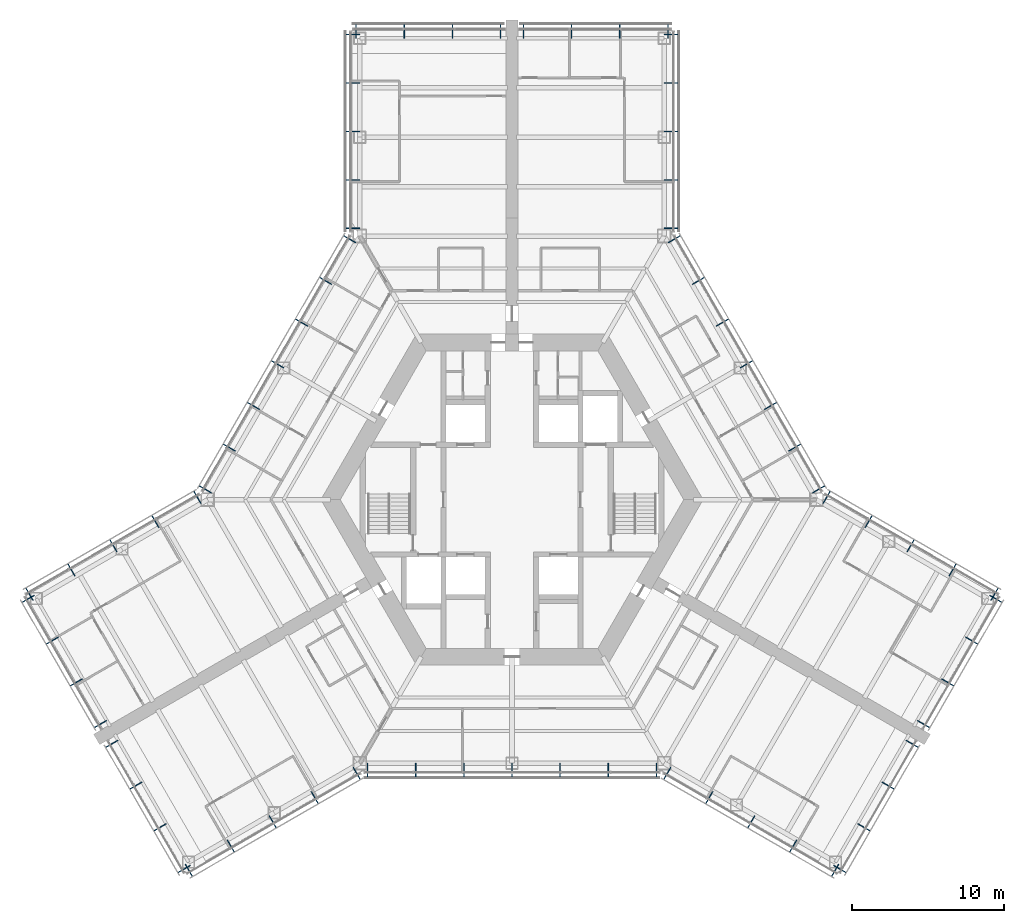
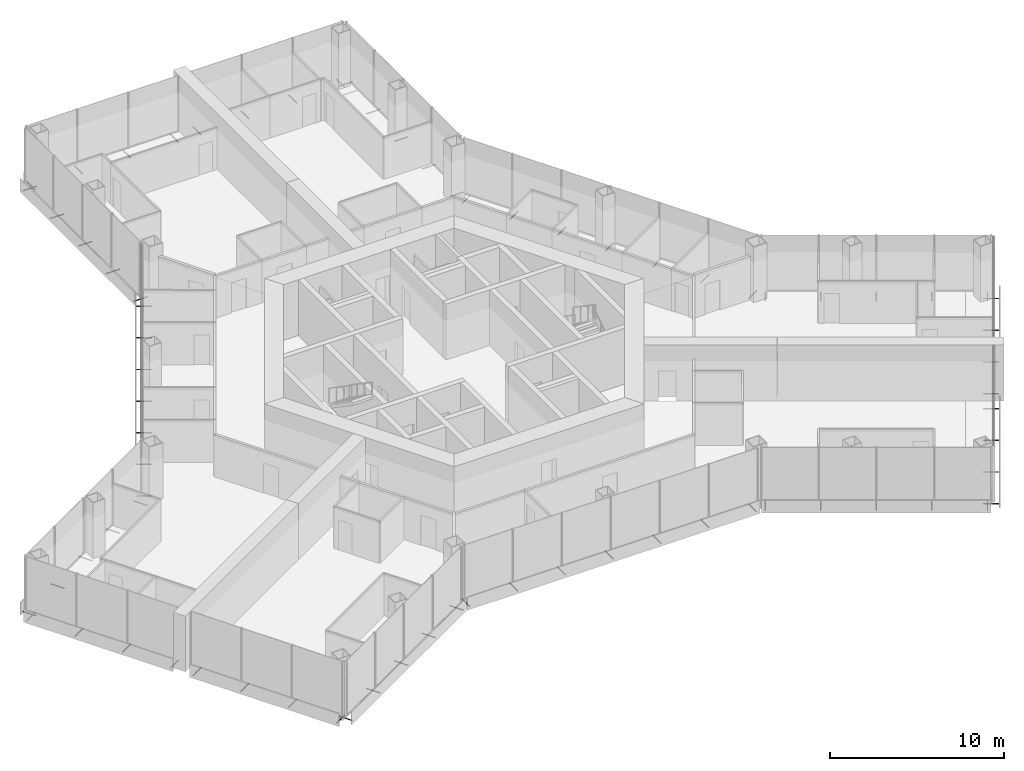
# One storey, part 17 of 19: 75 discrete accessories.
"""IFC4 building model written with IfcOpenShell, lengths in metres."""

from ifc_helpers import new_model, si_unit, direction, frame, origin, origin_2d, place, context, subcontext, project, spatial, hollow_circle, extrude, material, material_profile, profile_set, type_object, element, save


model = new_model("IFC4")

# Units and contexts
model_context = context("Model", 3, precision=1e-05, world=origin(), true_north=direction((0.0, 1.0)))
body_context = subcontext(model_context, "Body", "Model", "MODEL_VIEW")
ifc_project = project(units=[si_unit("LENGTHUNIT", "METRE"), si_unit("AREAUNIT", "SQUARE_METRE"), si_unit("VOLUMEUNIT", "CUBIC_METRE"), si_unit("PLANEANGLEUNIT", "RADIAN"), si_unit("MASSUNIT", "GRAM", prefix="KILO")], contexts=[model_context])

# Site, building, storey
site_placement = place(None, origin())
site = spatial("IfcSite", under=ifc_project, at=site_placement, CompositionType="ELEMENT")
building_placement = place(site_placement, origin())
building = spatial("IfcBuilding", under=site, at=building_placement, Name="Kasaneha Research Tower", CompositionType="ELEMENT")
storey_placement = place(building_placement, frame((0.0, 0.0, 96.300048828125)))
storey = spatial("IfcBuildingStorey", under=building, at=storey_placement, Name="L24", CompositionType="ELEMENT", Elevation=96.300048828125)

# Discrete accessories
ifc_material = material(Name="Steel STK400", Category="steel")
ifc_material_profile = material_profile(ifc_material, hollow_circle(Radius=0.0380859375, WallThickness=0.00390625, at=origin_2d()), Name="CHS-76.3x4.0")
ifc_profile_set = profile_set([ifc_material_profile], Name="Steel STK400")
discrete_accessory_type = type_object("IfcDiscreteAccessoryType", Name="Screen bracket CHS-76.3x4.0", PredefinedType="BRACKET", material=ifc_profile_set)
discrete_accessory_1_placement = place(storey_placement, frame((-21.474853515625, -23.945556640625, -0.300048828125), z_axis=(0.500021113727, -0.866013213425, 0.0), x_axis=(0.866013213425, 0.500021113727, 0.0)))
element("IfcDiscreteAccessory", 1, at=discrete_accessory_1_placement, inside=storey, type_object=discrete_accessory_type, Name="Screen bracket 1", PredefinedType="BRACKET", context=body_context, shape_type="SweptSolid", body=[
    extrude(hollow_circle(Radius=0.0380859375, WallThickness=0.00390625, at=origin_2d()), origin(), (0.0, 0.0, 1.0), 0.919921875),
])
discrete_accessory_2_placement = place(storey_placement, frame((-18.716796875, -22.35302734375, -0.300048828125), z_axis=(0.500105201737, -0.865964657013, 0.0), x_axis=(0.865964657013, 0.500105201737, 0.0)))
element("IfcDiscreteAccessory", 2, at=discrete_accessory_2_placement, inside=storey, type_object=discrete_accessory_type, Name="Screen bracket 2", PredefinedType="BRACKET", context=body_context, shape_type="SweptSolid", body=[
    extrude(hollow_circle(Radius=0.0380859375, WallThickness=0.00390625, at=origin_2d()), origin(), (0.0, 0.0, 1.0), 0.920166015625),
])
discrete_accessory_3_placement = place(storey_placement, frame((-15.95849609375, -20.7607421875, -0.300048828125), z_axis=(0.500021113727, -0.866013213425, 0.0), x_axis=(0.866013213425, 0.500021113727, 0.0)))
element("IfcDiscreteAccessory", 3, at=discrete_accessory_3_placement, inside=storey, type_object=discrete_accessory_type, Name="Screen bracket 3", PredefinedType="BRACKET", context=body_context, shape_type="SweptSolid", body=[
    extrude(hollow_circle(Radius=0.0380859375, WallThickness=0.00390625, at=origin_2d()), origin(), (0.0, 0.0, 1.0), 0.919921875),
])
discrete_accessory_4_placement = place(storey_placement, frame((-13.200439453125, -19.168212890625, -0.300048828125), z_axis=(0.499906209203, -0.866079547155, 0.0), x_axis=(0.866079547155, 0.499906209203, 0.0)))
element("IfcDiscreteAccessory", 4, at=discrete_accessory_4_placement, inside=storey, type_object=discrete_accessory_type, Name="Screen bracket 4", PredefinedType="BRACKET", context=body_context, shape_type="SweptSolid", body=[
    extrude(hollow_circle(Radius=0.0380859375, WallThickness=0.00390625, at=origin_2d()), origin(), (0.0, 0.0, 1.0), 0.920166015625),
])
for number, where, z_axis, x_axis, name in (
    (5, (-10.4423828125, -17.575927734375, -0.300048828125), (0.500021113727, -0.866013213425, 0.0), (0.866013213425, 0.500021113727, 0.0), "Screen bracket 5"),
    (6, (-9.4892578125, -17.320556640625, -0.300048828125), (0.0, -1.0, 0.0), (1.0, 0.0, 0.0), "Screen bracket 1"),
    (7, (-6.326171875, -17.320556640625, -0.300048828125), (0.0, -1.0, 0.0), (1.0, 0.0, 0.0), "Screen bracket 2"),
    (8, (-3.1630859375, -17.320556640625, -0.300048828125), (0.0, -1.0, 0.0), (1.0, 0.0, 0.0), "Screen bracket 3"),
    (9, (0.0, -17.320556640625, -0.300048828125), (0.0, -1.0, 0.0), (1.0, 0.0, 0.0), "Screen bracket 4"),
    (10, (3.1630859375, -17.320556640625, -0.300048828125), (0.0, -1.0, 0.0), (1.0, 0.0, 0.0), "Screen bracket 5"),
    (11, (6.326171875, -17.320556640625, -0.300048828125), (0.0, -1.0, 0.0), (1.0, 0.0, 0.0), "Screen bracket 6"),
    (12, (9.4892578125, -17.320556640625, -0.300048828125), (0.0, -1.0, 0.0), (1.0, 0.0, 0.0), "Screen bracket 7"),
    (13, (10.4423828125, -17.575927734375, -0.300048828125), (-0.500021113727, -0.866013213425, 0.0), (0.866013213425, -0.500021113727, 0.0), "Screen bracket 1"),
):
    element("IfcDiscreteAccessory", number, at=place(storey_placement, frame(where, z_axis=z_axis, x_axis=x_axis)), inside=storey, type_object=discrete_accessory_type, Name=name, PredefinedType="BRACKET", context=body_context, shape_type="SweptSolid", body=[
        extrude(hollow_circle(Radius=0.0380859375, WallThickness=0.00390625, at=origin_2d()), origin(), (0.0, 0.0, 1.0), 0.919921875),
    ])
discrete_accessory_5_placement = place(storey_placement, frame((13.200439453125, -19.168212890625, -0.300048828125), z_axis=(-0.499906209203, -0.866079547155, 0.0), x_axis=(0.866079547155, -0.499906209203, 0.0)))
element("IfcDiscreteAccessory", 14, at=discrete_accessory_5_placement, inside=storey, type_object=discrete_accessory_type, Name="Screen bracket 2", PredefinedType="BRACKET", context=body_context, shape_type="SweptSolid", body=[
    extrude(hollow_circle(Radius=0.0380859375, WallThickness=0.00390625, at=origin_2d()), origin(), (0.0, 0.0, 1.0), 0.920166015625),
])
discrete_accessory_6_placement = place(storey_placement, frame((15.95849609375, -20.7607421875, -0.300048828125), z_axis=(-0.500021113727, -0.866013213425, 0.0), x_axis=(0.866013213425, -0.500021113727, 0.0)))
element("IfcDiscreteAccessory", 15, at=discrete_accessory_6_placement, inside=storey, type_object=discrete_accessory_type, Name="Screen bracket 3", PredefinedType="BRACKET", context=body_context, shape_type="SweptSolid", body=[
    extrude(hollow_circle(Radius=0.0380859375, WallThickness=0.00390625, at=origin_2d()), origin(), (0.0, 0.0, 1.0), 0.919921875),
])
discrete_accessory_7_placement = place(storey_placement, frame((18.716796875, -22.35302734375, -0.300048828125), z_axis=(-0.500105201737, -0.865964657013, 0.0), x_axis=(0.865964657013, -0.500105201737, 0.0)))
element("IfcDiscreteAccessory", 16, at=discrete_accessory_7_placement, inside=storey, type_object=discrete_accessory_type, Name="Screen bracket 4", PredefinedType="BRACKET", context=body_context, shape_type="SweptSolid", body=[
    extrude(hollow_circle(Radius=0.0380859375, WallThickness=0.00390625, at=origin_2d()), origin(), (0.0, 0.0, 1.0), 0.920166015625),
])
discrete_accessory_8_placement = place(storey_placement, frame((21.474853515625, -23.945556640625, -0.300048828125), z_axis=(-0.500021113727, -0.866013213425, 0.0), x_axis=(0.866013213425, -0.500021113727, 0.0)))
element("IfcDiscreteAccessory", 17, at=discrete_accessory_8_placement, inside=storey, type_object=discrete_accessory_type, Name="Screen bracket 5", PredefinedType="BRACKET", context=body_context, shape_type="SweptSolid", body=[
    extrude(hollow_circle(Radius=0.0380859375, WallThickness=0.00390625, at=origin_2d()), origin(), (0.0, 0.0, 1.0), 0.919921875),
])
for number, where, z_axis, x_axis, name in (
    (18, (21.13330078125, -24.037109375, -0.300048828125), (0.866079547155, -0.499906209203, 0.0), (0.499906209203, 0.866079547155, 0.0), "Screen bracket 1"),
    (19, (22.716552734375, -21.294677734375, -0.300048828125), (0.866079547155, -0.499906209203, 0.0), (0.499906209203, 0.866079547155, 0.0), "Screen bracket 2"),
):
    element("IfcDiscreteAccessory", number, at=place(storey_placement, frame(where, z_axis=z_axis, x_axis=x_axis)), inside=storey, type_object=discrete_accessory_type, Name=name, PredefinedType="BRACKET", context=body_context, shape_type="SweptSolid", body=[
        extrude(hollow_circle(Radius=0.0380859375, WallThickness=0.00390625, at=origin_2d()), origin(), (0.0, 0.0, 1.0), 0.920166015625),
    ])
discrete_accessory_9_placement = place(storey_placement, frame((24.300048828125, -18.55224609375, -0.300048828125), z_axis=(0.866013213425, -0.500021113727, 0.0), x_axis=(0.500021113727, 0.866013213425, 0.0)))
element("IfcDiscreteAccessory", 20, at=discrete_accessory_9_placement, inside=storey, type_object=discrete_accessory_type, Name="Screen bracket 3", PredefinedType="BRACKET", context=body_context, shape_type="SweptSolid", body=[
    extrude(hollow_circle(Radius=0.0380859375, WallThickness=0.00390625, at=origin_2d()), origin(), (0.0, 0.0, 1.0), 0.919921875),
])
for number, where, z_axis, x_axis, name in (
    (21, (25.88330078125, -15.809814453125, -0.300048828125), (0.866079547155, -0.499906209203, 0.0), (0.499906209203, 0.866079547155, 0.0), "Screen bracket 4"),
    (22, (26.63330078125, -14.5107421875, -0.300048828125), (0.866079547155, -0.499906209203, 0.0), (0.499906209203, 0.866079547155, 0.0), "Screen bracket 1"),
    (23, (28.216552734375, -11.768310546875, -0.300048828125), (0.866079547155, -0.499906209203, 0.0), (0.499906209203, 0.866079547155, 0.0), "Screen bracket 2"),
):
    element("IfcDiscreteAccessory", number, at=place(storey_placement, frame(where, z_axis=z_axis, x_axis=x_axis)), inside=storey, type_object=discrete_accessory_type, Name=name, PredefinedType="BRACKET", context=body_context, shape_type="SweptSolid", body=[
        extrude(hollow_circle(Radius=0.0380859375, WallThickness=0.00390625, at=origin_2d()), origin(), (0.0, 0.0, 1.0), 0.920166015625),
    ])
discrete_accessory_10_placement = place(storey_placement, frame((29.800048828125, -9.02587890625, -0.300048828125), z_axis=(0.866013213425, -0.500021113727, 0.0), x_axis=(0.500021113727, 0.866013213425, 0.0)))
element("IfcDiscreteAccessory", 24, at=discrete_accessory_10_placement, inside=storey, type_object=discrete_accessory_type, Name="Screen bracket 3", PredefinedType="BRACKET", context=body_context, shape_type="SweptSolid", body=[
    extrude(hollow_circle(Radius=0.0380859375, WallThickness=0.00390625, at=origin_2d()), origin(), (0.0, 0.0, 1.0), 0.919921875),
])
discrete_accessory_11_placement = place(storey_placement, frame((31.38330078125, -6.283447265625, -0.300048828125), z_axis=(0.866079547155, -0.499906209203, 0.0), x_axis=(0.499906209203, 0.866079547155, 0.0)))
element("IfcDiscreteAccessory", 25, at=discrete_accessory_11_placement, inside=storey, type_object=discrete_accessory_type, Name="Screen bracket 4", PredefinedType="BRACKET", context=body_context, shape_type="SweptSolid", body=[
    extrude(hollow_circle(Radius=0.0380859375, WallThickness=0.00390625, at=origin_2d()), origin(), (0.0, 0.0, 1.0), 0.920166015625),
])
discrete_accessory_12_placement = place(storey_placement, frame((31.474853515625, -6.625, -0.300048828125), z_axis=(0.500021113727, 0.866013213425, 0.0), x_axis=(-0.866013213425, 0.500021113727, 0.0)))
element("IfcDiscreteAccessory", 26, at=discrete_accessory_12_placement, inside=storey, type_object=discrete_accessory_type, Name="Screen bracket 1", PredefinedType="BRACKET", context=body_context, shape_type="SweptSolid", body=[
    extrude(hollow_circle(Radius=0.0380859375, WallThickness=0.00390625, at=origin_2d()), origin(), (0.0, 0.0, 1.0), 0.919921875),
])
discrete_accessory_13_placement = place(storey_placement, frame((28.716796875, -5.03271484375, -0.300048828125), z_axis=(0.499906209203, 0.866079547155, 0.0), x_axis=(-0.866079547155, 0.499906209203, 0.0)))
element("IfcDiscreteAccessory", 27, at=discrete_accessory_13_placement, inside=storey, type_object=discrete_accessory_type, Name="Screen bracket 2", PredefinedType="BRACKET", context=body_context, shape_type="SweptSolid", body=[
    extrude(hollow_circle(Radius=0.0380859375, WallThickness=0.00390625, at=origin_2d()), origin(), (0.0, 0.0, 1.0), 0.920166015625),
])
discrete_accessory_14_placement = place(storey_placement, frame((25.95849609375, -3.440185546875, -0.300048828125), z_axis=(0.500220121494, 0.865898279276, 0.0), x_axis=(-0.865898279276, 0.500220121494, 0.0)))
element("IfcDiscreteAccessory", 28, at=discrete_accessory_14_placement, inside=storey, type_object=discrete_accessory_type, Name="Screen bracket 3", PredefinedType="BRACKET", context=body_context, shape_type="SweptSolid", body=[
    extrude(hollow_circle(Radius=0.0380859375, WallThickness=0.00390625, at=origin_2d()), origin(), (0.0, 0.0, 1.0), 0.919921875),
])
discrete_accessory_15_placement = place(storey_placement, frame((23.200439453125, -1.847900390625, -0.300048828125), z_axis=(0.499906209203, 0.866079547155, 0.0), x_axis=(-0.866079547155, 0.499906209203, 0.0)))
element("IfcDiscreteAccessory", 29, at=discrete_accessory_15_placement, inside=storey, type_object=discrete_accessory_type, Name="Screen bracket 4", PredefinedType="BRACKET", context=body_context, shape_type="SweptSolid", body=[
    extrude(hollow_circle(Radius=0.0380859375, WallThickness=0.00390625, at=origin_2d()), origin(), (0.0, 0.0, 1.0), 0.920166015625),
])
for number, where, z_axis, x_axis, name in (
    (30, (20.4423828125, -0.25537109375, -0.300048828125), (0.500021113727, 0.866013213425, 0.0), (-0.866013213425, 0.500021113727, 0.0), "Screen bracket 5"),
    (31, (19.74462890625, 0.4423828125, -0.300048828125), (0.866013213425, 0.500021113727, 0.0), (-0.500021113727, 0.866013213425, 0.0), "Screen bracket 1"),
    (32, (18.1630859375, 3.181640625, -0.300048828125), (0.866013213425, 0.500021113727, 0.0), (-0.500021113727, 0.866013213425, 0.0), "Screen bracket 2"),
    (33, (16.58154296875, 5.9208984375, -0.300048828125), (0.866013213425, 0.500021113727, 0.0), (-0.500021113727, 0.866013213425, 0.0), "Screen bracket 3"),
    (34, (15.0, 8.66015625, -0.300048828125), (0.865898279276, 0.500220121494, 0.0), (-0.500220121494, 0.865898279276, 0.0), "Screen bracket 4"),
    (35, (13.41845703125, 11.399658203125, -0.300048828125), (0.866013213425, 0.500021113727, 0.0), (-0.500021113727, 0.866013213425, 0.0), "Screen bracket 5"),
    (36, (11.8369140625, 14.138916015625, -0.300048828125), (0.866013213425, 0.500021113727, 0.0), (-0.500021113727, 0.866013213425, 0.0), "Screen bracket 6"),
):
    element("IfcDiscreteAccessory", number, at=place(storey_placement, frame(where, z_axis=z_axis, x_axis=x_axis)), inside=storey, type_object=discrete_accessory_type, Name=name, PredefinedType="BRACKET", context=body_context, shape_type="SweptSolid", body=[
        extrude(hollow_circle(Radius=0.0380859375, WallThickness=0.00390625, at=origin_2d()), origin(), (0.0, 0.0, 1.0), 0.919921875),
    ])
discrete_accessory_16_placement = place(storey_placement, frame((10.25537109375, 16.878173828125, -0.300048828125), z_axis=(0.866079547155, 0.499906209203, 0.0), x_axis=(-0.499906209203, 0.866079547155, 0.0)))
element("IfcDiscreteAccessory", 37, at=discrete_accessory_16_placement, inside=storey, type_object=discrete_accessory_type, Name="Screen bracket 7", PredefinedType="BRACKET", context=body_context, shape_type="SweptSolid", body=[
    extrude(hollow_circle(Radius=0.0380859375, WallThickness=0.00390625, at=origin_2d()), origin(), (0.0, 0.0, 1.0), 0.920166015625),
])
for number, where, z_axis, x_axis, name in (
    (38, (10.0, 17.831298828125, -0.300048828125), (1.0, 0.0, 0.0), (0.0, 1.0, 0.0), "Screen bracket 1"),
    (39, (10.0, 21.01611328125, -0.300048828125), (1.0, 0.0, 0.0), (0.0, 1.0, 0.0), "Screen bracket 2"),
    (40, (10.0, 24.200927734375, -0.300048828125), (1.0, 0.0, 0.0), (0.0, 1.0, 0.0), "Screen bracket 3"),
    (41, (10.0, 27.3857421875, -0.300048828125), (1.0, 0.0, 0.0), (0.0, 1.0, 0.0), "Screen bracket 4"),
    (42, (10.0, 30.570556640625, -0.300048828125), (1.0, 0.0, 0.0), (0.0, 1.0, 0.0), "Screen bracket 5"),
    (43, (10.25, 30.320556640625, -0.300048828125), (0.0, 1.0, 0.0), (-1.0, 0.0, 0.0), "Screen bracket 1"),
    (44, (7.083251953125, 30.320556640625, -0.300048828125), (0.0, 1.0, 0.0), (-1.0, 0.0, 0.0), "Screen bracket 2"),
    (45, (3.916748046875, 30.320556640625, -0.300048828125), (0.0, 1.0, 0.0), (-1.0, 0.0, 0.0), "Screen bracket 3"),
    (46, (0.75, 30.320556640625, -0.300048828125), (0.0, 1.0, 0.0), (-1.0, 0.0, 0.0), "Screen bracket 4"),
    (47, (-0.75, 30.320556640625, -0.300048828125), (0.0, 1.0, 0.0), (-1.0, 0.0, 0.0), "Screen bracket 1"),
    (48, (-3.916748046875, 30.320556640625, -0.300048828125), (0.0, 1.0, 0.0), (-1.0, 0.0, 0.0), "Screen bracket 2"),
    (49, (-7.083251953125, 30.320556640625, -0.300048828125), (0.0, 1.0, 0.0), (-1.0, 0.0, 0.0), "Screen bracket 3"),
    (50, (-10.25, 30.320556640625, -0.300048828125), (0.0, 1.0, 0.0), (-1.0, 0.0, 0.0), "Screen bracket 4"),
    (51, (-10.0, 30.570556640625, -0.300048828125), (-1.0, 0.0, 0.0), (0.0, -1.0, 0.0), "Screen bracket 1"),
    (52, (-10.0, 27.3857421875, -0.300048828125), (-1.0, 0.0, 0.0), (0.0, -1.0, 0.0), "Screen bracket 2"),
    (53, (-10.0, 24.200927734375, -0.300048828125), (-1.0, 0.0, 0.0), (0.0, -1.0, 0.0), "Screen bracket 3"),
    (54, (-10.0, 21.01611328125, -0.300048828125), (-1.0, 0.0, 0.0), (0.0, -1.0, 0.0), "Screen bracket 4"),
    (55, (-10.0, 17.831298828125, -0.300048828125), (-1.0, 0.0, 0.0), (0.0, -1.0, 0.0), "Screen bracket 5"),
):
    element("IfcDiscreteAccessory", number, at=place(storey_placement, frame(where, z_axis=z_axis, x_axis=x_axis)), inside=storey, type_object=discrete_accessory_type, Name=name, PredefinedType="BRACKET", context=body_context, shape_type="SweptSolid", body=[
        extrude(hollow_circle(Radius=0.0380859375, WallThickness=0.00390625, at=origin_2d()), origin(), (0.0, 0.0, 1.0), 0.919921875),
    ])
discrete_accessory_17_placement = place(storey_placement, frame((-10.25537109375, 16.878173828125, -0.300048828125), z_axis=(-0.866079547155, 0.499906209203, 0.0), x_axis=(-0.499906209203, -0.866079547155, 0.0)))
element("IfcDiscreteAccessory", 56, at=discrete_accessory_17_placement, inside=storey, type_object=discrete_accessory_type, Name="Screen bracket 1", PredefinedType="BRACKET", context=body_context, shape_type="SweptSolid", body=[
    extrude(hollow_circle(Radius=0.0380859375, WallThickness=0.00390625, at=origin_2d()), origin(), (0.0, 0.0, 1.0), 0.920166015625),
])
for number, where, z_axis, x_axis, name in (
    (57, (-11.8369140625, 14.138916015625, -0.300048828125), (-0.866013213425, 0.500021113727, 0.0), (-0.500021113727, -0.866013213425, 0.0), "Screen bracket 2"),
    (58, (-13.41845703125, 11.399658203125, -0.300048828125), (-0.866013213425, 0.500021113727, 0.0), (-0.500021113727, -0.866013213425, 0.0), "Screen bracket 3"),
    (59, (-15.0, 8.66015625, -0.300048828125), (-0.865898279276, 0.500220121494, 0.0), (-0.500220121494, -0.865898279276, 0.0), "Screen bracket 4"),
    (60, (-16.58154296875, 5.9208984375, -0.300048828125), (-0.866013213425, 0.500021113727, 0.0), (-0.500021113727, -0.866013213425, 0.0), "Screen bracket 5"),
    (61, (-18.1630859375, 3.181640625, -0.300048828125), (-0.866013213425, 0.500021113727, 0.0), (-0.500021113727, -0.866013213425, 0.0), "Screen bracket 6"),
    (62, (-19.74462890625, 0.4423828125, -0.300048828125), (-0.866013213425, 0.500021113727, 0.0), (-0.500021113727, -0.866013213425, 0.0), "Screen bracket 7"),
    (63, (-20.4423828125, -0.25537109375, -0.300048828125), (-0.500021113727, 0.866013213425, 0.0), (-0.866013213425, -0.500021113727, 0.0), "Screen bracket 1"),
):
    element("IfcDiscreteAccessory", number, at=place(storey_placement, frame(where, z_axis=z_axis, x_axis=x_axis)), inside=storey, type_object=discrete_accessory_type, Name=name, PredefinedType="BRACKET", context=body_context, shape_type="SweptSolid", body=[
        extrude(hollow_circle(Radius=0.0380859375, WallThickness=0.00390625, at=origin_2d()), origin(), (0.0, 0.0, 1.0), 0.919921875),
    ])
discrete_accessory_18_placement = place(storey_placement, frame((-23.200439453125, -1.847900390625, -0.300048828125), z_axis=(-0.499906209203, 0.866079547155, 0.0), x_axis=(-0.866079547155, -0.499906209203, 0.0)))
element("IfcDiscreteAccessory", 64, at=discrete_accessory_18_placement, inside=storey, type_object=discrete_accessory_type, Name="Screen bracket 2", PredefinedType="BRACKET", context=body_context, shape_type="SweptSolid", body=[
    extrude(hollow_circle(Radius=0.0380859375, WallThickness=0.00390625, at=origin_2d()), origin(), (0.0, 0.0, 1.0), 0.920166015625),
])
discrete_accessory_19_placement = place(storey_placement, frame((-25.95849609375, -3.440185546875, -0.300048828125), z_axis=(-0.500220121494, 0.865898279276, 0.0), x_axis=(-0.865898279276, -0.500220121494, 0.0)))
element("IfcDiscreteAccessory", 65, at=discrete_accessory_19_placement, inside=storey, type_object=discrete_accessory_type, Name="Screen bracket 3", PredefinedType="BRACKET", context=body_context, shape_type="SweptSolid", body=[
    extrude(hollow_circle(Radius=0.0380859375, WallThickness=0.00390625, at=origin_2d()), origin(), (0.0, 0.0, 1.0), 0.919921875),
])
discrete_accessory_20_placement = place(storey_placement, frame((-28.716796875, -5.03271484375, -0.300048828125), z_axis=(-0.499906209203, 0.866079547155, 0.0), x_axis=(-0.866079547155, -0.499906209203, 0.0)))
element("IfcDiscreteAccessory", 66, at=discrete_accessory_20_placement, inside=storey, type_object=discrete_accessory_type, Name="Screen bracket 4", PredefinedType="BRACKET", context=body_context, shape_type="SweptSolid", body=[
    extrude(hollow_circle(Radius=0.0380859375, WallThickness=0.00390625, at=origin_2d()), origin(), (0.0, 0.0, 1.0), 0.920166015625),
])
discrete_accessory_21_placement = place(storey_placement, frame((-31.474853515625, -6.625, -0.300048828125), z_axis=(-0.500021113727, 0.866013213425, 0.0), x_axis=(-0.866013213425, -0.500021113727, 0.0)))
element("IfcDiscreteAccessory", 67, at=discrete_accessory_21_placement, inside=storey, type_object=discrete_accessory_type, Name="Screen bracket 5", PredefinedType="BRACKET", context=body_context, shape_type="SweptSolid", body=[
    extrude(hollow_circle(Radius=0.0380859375, WallThickness=0.00390625, at=origin_2d()), origin(), (0.0, 0.0, 1.0), 0.919921875),
])
discrete_accessory_22_placement = place(storey_placement, frame((-31.38330078125, -6.283447265625, -0.300048828125), z_axis=(-0.866079547155, -0.499906209203, 0.0), x_axis=(0.499906209203, -0.866079547155, 0.0)))
element("IfcDiscreteAccessory", 68, at=discrete_accessory_22_placement, inside=storey, type_object=discrete_accessory_type, Name="Screen bracket 1", PredefinedType="BRACKET", context=body_context, shape_type="SweptSolid", body=[
    extrude(hollow_circle(Radius=0.0380859375, WallThickness=0.00390625, at=origin_2d()), origin(), (0.0, 0.0, 1.0), 0.920166015625),
])
discrete_accessory_23_placement = place(storey_placement, frame((-29.800048828125, -9.02587890625, -0.300048828125), z_axis=(-0.866013213425, -0.500021113727, 0.0), x_axis=(0.500021113727, -0.866013213425, 0.0)))
element("IfcDiscreteAccessory", 69, at=discrete_accessory_23_placement, inside=storey, type_object=discrete_accessory_type, Name="Screen bracket 2", PredefinedType="BRACKET", context=body_context, shape_type="SweptSolid", body=[
    extrude(hollow_circle(Radius=0.0380859375, WallThickness=0.00390625, at=origin_2d()), origin(), (0.0, 0.0, 1.0), 0.919921875),
])
for number, where, z_axis, x_axis, name in (
    (70, (-28.216552734375, -11.768310546875, -0.300048828125), (-0.866079547155, -0.499906209203, 0.0), (0.499906209203, -0.866079547155, 0.0), "Screen bracket 3"),
    (71, (-26.63330078125, -14.5107421875, -0.300048828125), (-0.866079547155, -0.499906209203, 0.0), (0.499906209203, -0.866079547155, 0.0), "Screen bracket 4"),
    (72, (-25.88330078125, -15.809814453125, -0.300048828125), (-0.866079547155, -0.499906209203, 0.0), (0.499906209203, -0.866079547155, 0.0), "Screen bracket 1"),
):
    element("IfcDiscreteAccessory", number, at=place(storey_placement, frame(where, z_axis=z_axis, x_axis=x_axis)), inside=storey, type_object=discrete_accessory_type, Name=name, PredefinedType="BRACKET", context=body_context, shape_type="SweptSolid", body=[
        extrude(hollow_circle(Radius=0.0380859375, WallThickness=0.00390625, at=origin_2d()), origin(), (0.0, 0.0, 1.0), 0.920166015625),
    ])
discrete_accessory_24_placement = place(storey_placement, frame((-24.300048828125, -18.55224609375, -0.300048828125), z_axis=(-0.866013213425, -0.500021113727, 0.0), x_axis=(0.500021113727, -0.866013213425, 0.0)))
element("IfcDiscreteAccessory", 73, at=discrete_accessory_24_placement, inside=storey, type_object=discrete_accessory_type, Name="Screen bracket 2", PredefinedType="BRACKET", context=body_context, shape_type="SweptSolid", body=[
    extrude(hollow_circle(Radius=0.0380859375, WallThickness=0.00390625, at=origin_2d()), origin(), (0.0, 0.0, 1.0), 0.919921875),
])
for number, where, z_axis, x_axis, name in (
    (74, (-22.716552734375, -21.294677734375, -0.300048828125), (-0.866079547155, -0.499906209203, 0.0), (0.499906209203, -0.866079547155, 0.0), "Screen bracket 3"),
    (75, (-21.13330078125, -24.037109375, -0.300048828125), (-0.866079547155, -0.499906209203, 0.0), (0.499906209203, -0.866079547155, 0.0), "Screen bracket 4"),
):
    element("IfcDiscreteAccessory", number, at=place(storey_placement, frame(where, z_axis=z_axis, x_axis=x_axis)), inside=storey, type_object=discrete_accessory_type, Name=name, PredefinedType="BRACKET", context=body_context, shape_type="SweptSolid", body=[
        extrude(hollow_circle(Radius=0.0380859375, WallThickness=0.00390625, at=origin_2d()), origin(), (0.0, 0.0, 1.0), 0.920166015625),
    ])

save(model, "model.ifc")
